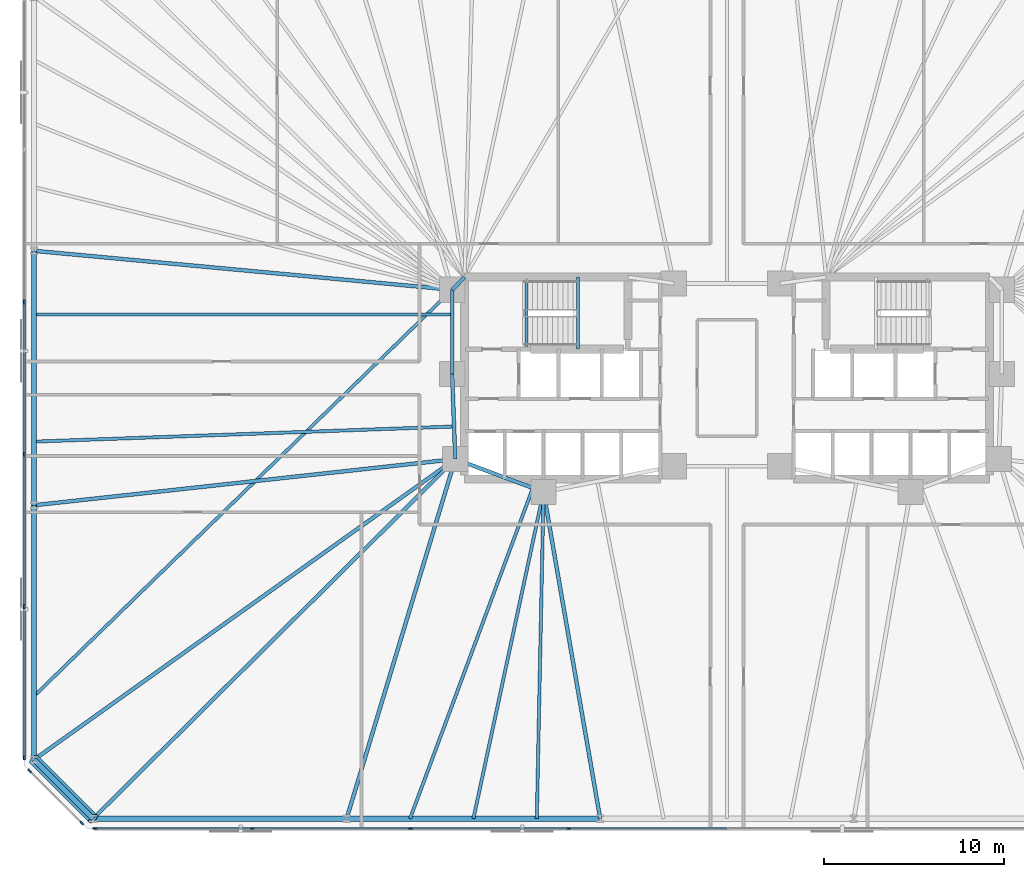
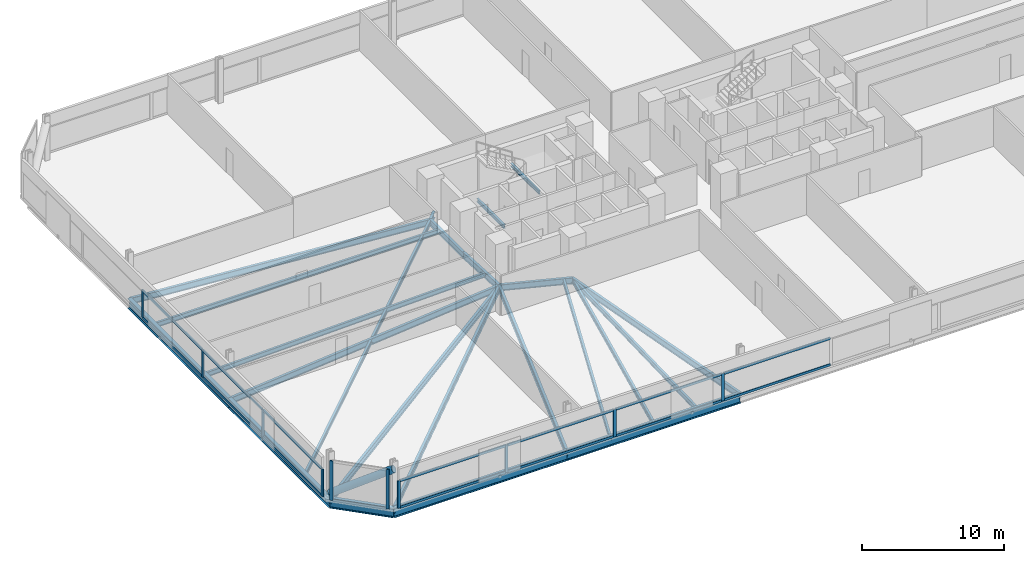
# One storey, part 6 of 17: 25 members, 23 beams, 3 elements without a shape of their own.
"""IFC4 building model written with IfcOpenShell, lengths in metres."""

from ifc_helpers import new_model, si_unit, direction, frame, origin, origin_2d, place, context, subcontext, project, spatial, rectangle, hollow_circle, i_section, extrude, material, material_profile, profile_set, type_object, element, aggregate, save


model = new_model("IFC4")

# Units and contexts
model_context = context("Model", 3, precision=1e-05, world=origin(), true_north=direction((0.0, 1.0)))
body_context = subcontext(model_context, "Body", "Model", "MODEL_VIEW")
ifc_project = project(units=[si_unit("LENGTHUNIT", "METRE"), si_unit("AREAUNIT", "SQUARE_METRE"), si_unit("VOLUMEUNIT", "CUBIC_METRE"), si_unit("PLANEANGLEUNIT", "RADIAN"), si_unit("MASSUNIT", "GRAM", prefix="KILO")], contexts=[model_context])

# Site, building, storey
site_placement = place(None, origin())
site = spatial("IfcSite", under=ifc_project, at=site_placement, CompositionType="ELEMENT")
building_placement = place(site_placement, origin())
building = spatial("IfcBuilding", under=site, at=building_placement, Name="Menara Jurai Vektor", CompositionType="ELEMENT")
storey_placement = place(building_placement, frame((0.0, 0.0, 75.0)))
storey = spatial("IfcBuildingStorey", under=building, at=storey_placement, Name="L18", CompositionType="ELEMENT", Elevation=75.0)

# Curtain wall, members
ifc_material_1 = material(Name="Anodised Pale Aluminium & Low-E Double Glazing", Category="aluminium")
curtain_wall_type = type_object("IfcCurtainWallType", Name="CW-BLK1", PredefinedType="NOTDEFINED", material=ifc_material_1)
curtain_wall_1_placement = place(storey_placement, origin())
curtain_wall_1 = element("IfcCurtainWall", 1, at=curtain_wall_1_placement, inside=storey, type_object=curtain_wall_type, Name="Unitised Curtain Wall L18 F01", PredefinedType="NOTDEFINED")
ifc_material_2 = material(Name="Anodised Pale Aluminium Mullion", Category="aluminium")
ifc_material_profile_1 = material_profile(ifc_material_2, rectangle(XDim=0.094970703125, YDim=0.239990234375, at=origin_2d()), Name="ALU MUL 95x240")
ifc_profile_set_1 = profile_set([ifc_material_profile_1], Name="Anodised Pale Aluminium Mullion")
member_type_1 = type_object("IfcMemberType", Name="CW-BLK1-MUL", PredefinedType="MULLION", material=ifc_profile_set_1)
member_1_placement = place(storey_placement, frame((-35.072509765625, -25.0, 0.0), z_axis=(0.0, 0.0, 1.0), x_axis=(0.0, 1.0, 0.0)))
member_1 = element("IfcMember", 2, at=member_1_placement, type_object=member_type_1, Name="CW-01 mullion 1", PredefinedType="MULLION", context=body_context, shape_type="SweptSolid", body=[
    extrude(rectangle(XDim=0.094970703125, YDim=0.239990234375, at=origin_2d()), origin(), (0.0, 0.0, 1.0), 2.35888671875),
])
member_2_placement = place(storey_placement, frame((-26.340087890625, -25.0, 0.0), z_axis=(0.0, 0.0, 1.0), x_axis=(0.0, 1.0, 0.0)))
member_2 = element("IfcMember", 3, at=member_2_placement, type_object=member_type_1, Name="CW-01 mullion 2", PredefinedType="MULLION", context=body_context, shape_type="SweptSolid", body=[
    extrude(rectangle(XDim=0.094970703125, YDim=0.239990234375, at=origin_2d()), origin(), (0.0, 0.0, 1.0), 2.35888671875),
])
member_3_placement = place(storey_placement, frame((-17.56005859375, -25.0, 0.0), z_axis=(0.0, 0.0, 1.0), x_axis=(0.0, 1.0, 0.0)))
member_3 = element("IfcMember", 4, at=member_3_placement, type_object=member_type_1, Name="CW-01 mullion 3", PredefinedType="MULLION", context=body_context, shape_type="SweptSolid", body=[
    extrude(rectangle(XDim=0.094970703125, YDim=0.239990234375, at=origin_2d()), origin(), (0.0, 0.0, 1.0), 2.35888671875),
])
member_4_placement = place(storey_placement, frame((-8.780029296875, -25.0, 0.0), z_axis=(0.0, 0.0, 1.0), x_axis=(0.0, 1.0, 0.0)))
member_4 = element("IfcMember", 5, at=member_4_placement, type_object=member_type_1, Name="CW-01 mullion 4", PredefinedType="MULLION", context=body_context, shape_type="SweptSolid", body=[
    extrude(rectangle(XDim=0.094970703125, YDim=0.239990234375, at=origin_2d()), origin(), (0.0, 0.0, 1.0), 2.35888671875),
])

curtain_wall_2_placement = place(storey_placement, origin())
curtain_wall_2 = element("IfcCurtainWall", 6, at=curtain_wall_2_placement, inside=storey, type_object=curtain_wall_type, Name="Unitised Curtain Wall L18 F07", PredefinedType="NOTDEFINED")
member_5_placement = place(storey_placement, frame((-39.0, 4.22412109375, 0.0), z_axis=(0.0, 0.0, 1.0), x_axis=(1.0, 0.0, 0.0)))
member_5 = element("IfcMember", 7, at=member_5_placement, type_object=member_type_1, Name="CW-01 mullion 3", PredefinedType="MULLION", context=body_context, shape_type="SweptSolid", body=[
    extrude(rectangle(XDim=0.094970703125, YDim=0.239990234375, at=origin_2d()), origin(), (0.0, 0.0, 1.0), 2.35888671875),
])
member_6_placement = place(storey_placement, frame((-39.0, -4.22412109375, 0.0), z_axis=(0.0, 0.0, 1.0), x_axis=(1.0, 0.0, 0.0)))
member_6 = element("IfcMember", 8, at=member_6_placement, type_object=member_type_1, Name="CW-01 mullion 4", PredefinedType="MULLION", context=body_context, shape_type="SweptSolid", body=[
    extrude(rectangle(XDim=0.094970703125, YDim=0.239990234375, at=origin_2d()), origin(), (0.0, 0.0, 1.0), 2.35888671875),
])
member_7_placement = place(storey_placement, frame((-39.0, -12.672119140625, 0.0), z_axis=(0.0, 0.0, 1.0), x_axis=(1.0, 0.0, 0.0)))
member_7 = element("IfcMember", 9, at=member_7_placement, type_object=member_type_1, Name="CW-01 mullion 5", PredefinedType="MULLION", context=body_context, shape_type="SweptSolid", body=[
    extrude(rectangle(XDim=0.094970703125, YDim=0.239990234375, at=origin_2d()), origin(), (0.0, 0.0, 1.0), 2.35888671875),
])
member_8_placement = place(storey_placement, frame((-39.0, -21.072509765625, 0.0), z_axis=(0.0, 0.0, 1.0), x_axis=(1.0, 0.0, 0.0)))
member_8 = element("IfcMember", 10, at=member_8_placement, type_object=member_type_1, Name="CW-01 mullion 6", PredefinedType="MULLION", context=body_context, shape_type="SweptSolid", body=[
    extrude(rectangle(XDim=0.094970703125, YDim=0.239990234375, at=origin_2d()), origin(), (0.0, 0.0, 1.0), 2.35888671875),
])

curtain_wall_3_placement = place(storey_placement, origin())
curtain_wall_3 = element("IfcCurtainWall", 11, at=curtain_wall_3_placement, inside=storey, type_object=curtain_wall_type, Name="Unitised Curtain Wall L18 F08", PredefinedType="NOTDEFINED")
member_9_placement = place(storey_placement, frame((-38.69775390625, -21.80224609375, 0.0), z_axis=(0.0, 0.0, 1.0), x_axis=(0.707106781187, 0.707106781187, 0.0)))
member_9 = element("IfcMember", 12, at=member_9_placement, type_object=member_type_1, Name="CW-01 mullion 1", PredefinedType="MULLION", context=body_context, shape_type="SweptSolid", body=[
    extrude(rectangle(XDim=0.094970703125, YDim=0.239990234375, at=origin_2d()), origin(), (0.0, 0.0, 1.0), 3.39501953125),
])
member_10_placement = place(storey_placement, frame((-35.80224609375, -24.69775390625, 0.0), z_axis=(0.0, 0.0, 1.0), x_axis=(0.707106781187, 0.707106781187, 0.0)))
member_10 = element("IfcMember", 13, at=member_10_placement, type_object=member_type_1, Name="CW-01 mullion 2", PredefinedType="MULLION", context=body_context, shape_type="SweptSolid", body=[
    extrude(rectangle(XDim=0.094970703125, YDim=0.239990234375, at=origin_2d()), origin(), (0.0, 0.0, 1.0), 3.39501953125),
])
aggregate(curtain_wall_3, [member_9, member_10])

# Member
ifc_material_3 = material(Name="Anodised Pale Aluminium Transom", Category="aluminium")
ifc_material_profile_2 = material_profile(ifc_material_3, rectangle(XDim=0.094970703125, YDim=0.199951171875, at=origin_2d()), Name="ALU TRN 95x200")
ifc_profile_set_2 = profile_set([ifc_material_profile_2], Name="Anodised Pale Aluminium Transom")
member_type_2 = type_object("IfcMemberType", Name="CW-BLK1-TRN", PredefinedType="USERDEFINED", material=ifc_profile_set_2)
member_11_placement = place(storey_placement, frame((-35.02490234375, -25.0, 0.047607421875), z_axis=(1.0, 0.0, 0.0), x_axis=(0.0, 1.0, 0.0)))
member_11 = element("IfcMember", 14, at=member_11_placement, type_object=member_type_2, Name="CW-01 transom 1.1", ObjectType="TRANSOM", PredefinedType="USERDEFINED", context=body_context, shape_type="SweptSolid", body=[
    extrude(rectangle(XDim=0.094970703125, YDim=0.199951171875, at=origin_2d()), origin(), (0.0, 0.0, 1.0), 8.637451171875),
])

member_12_placement = place(storey_placement, frame((-35.02490234375, -25.0, 2.3115234375), z_axis=(1.0, 0.0, 0.0), x_axis=(0.0, 1.0, 0.0)))
member_12 = element("IfcMember", 15, at=member_12_placement, type_object=member_type_2, Name="CW-01 transom 1.2", ObjectType="TRANSOM", PredefinedType="USERDEFINED", context=body_context, shape_type="SweptSolid", body=[
    extrude(rectangle(XDim=0.094970703125, YDim=0.199951171875, at=origin_2d()), origin(), (0.0, 0.0, 1.0), 8.637451171875),
])

member_13_placement = place(storey_placement, frame((-26.29248046875, -25.0, 0.047607421875), z_axis=(1.0, 0.0, 0.0), x_axis=(0.0, 1.0, 0.0)))
member_13 = element("IfcMember", 16, at=member_13_placement, type_object=member_type_2, Name="CW-01 transom 2.1", ObjectType="TRANSOM", PredefinedType="USERDEFINED", context=body_context, shape_type="SweptSolid", body=[
    extrude(rectangle(XDim=0.094970703125, YDim=0.199951171875, at=origin_2d()), origin(), (0.0, 0.0, 1.0), 8.68505859375),
])

member_14_placement = place(storey_placement, frame((-26.29248046875, -25.0, 2.3115234375), z_axis=(1.0, 0.0, 0.0), x_axis=(0.0, 1.0, 0.0)))
member_14 = element("IfcMember", 17, at=member_14_placement, type_object=member_type_2, Name="CW-01 transom 2.2", ObjectType="TRANSOM", PredefinedType="USERDEFINED", context=body_context, shape_type="SweptSolid", body=[
    extrude(rectangle(XDim=0.094970703125, YDim=0.199951171875, at=origin_2d()), origin(), (0.0, 0.0, 1.0), 8.68505859375),
])

member_15_placement = place(storey_placement, frame((-17.512451171875, -25.0, 0.047607421875), z_axis=(1.0, 0.0, 0.0), x_axis=(0.0, 1.0, 0.0)))
member_15 = element("IfcMember", 18, at=member_15_placement, type_object=member_type_2, Name="CW-01 transom 3.1", ObjectType="TRANSOM", PredefinedType="USERDEFINED", context=body_context, shape_type="SweptSolid", body=[
    extrude(rectangle(XDim=0.094970703125, YDim=0.199951171875, at=origin_2d()), origin(), (0.0, 0.0, 1.0), 8.68505859375),
])

member_16_placement = place(storey_placement, frame((-17.512451171875, -25.0, 2.3115234375), z_axis=(1.0, 0.0, 0.0), x_axis=(0.0, 1.0, 0.0)))
member_16 = element("IfcMember", 19, at=member_16_placement, type_object=member_type_2, Name="CW-01 transom 3.2", ObjectType="TRANSOM", PredefinedType="USERDEFINED", context=body_context, shape_type="SweptSolid", body=[
    extrude(rectangle(XDim=0.094970703125, YDim=0.199951171875, at=origin_2d()), origin(), (0.0, 0.0, 1.0), 8.68505859375),
])

member_17_placement = place(storey_placement, frame((-8.732421875, -25.0, 0.047607421875), z_axis=(1.0, 0.0, 0.0), x_axis=(0.0, 1.0, 0.0)))
member_17 = element("IfcMember", 20, at=member_17_placement, type_object=member_type_2, Name="CW-01 transom 4.1", ObjectType="TRANSOM", PredefinedType="USERDEFINED", context=body_context, shape_type="SweptSolid", body=[
    extrude(rectangle(XDim=0.094970703125, YDim=0.199951171875, at=origin_2d()), origin(), (0.0, 0.0, 1.0), 8.684814453125),
])

member_18_placement = place(storey_placement, frame((-8.732421875, -25.0, 2.3115234375), z_axis=(1.0, 0.0, 0.0), x_axis=(0.0, 1.0, 0.0)))
member_18 = element("IfcMember", 21, at=member_18_placement, type_object=member_type_2, Name="CW-01 transom 4.2", ObjectType="TRANSOM", PredefinedType="USERDEFINED", context=body_context, shape_type="SweptSolid", body=[
    extrude(rectangle(XDim=0.094970703125, YDim=0.199951171875, at=origin_2d()), origin(), (0.0, 0.0, 1.0), 8.684814453125),
])

aggregate(curtain_wall_1, [member_1, member_2, member_3, member_4, member_11, member_12, member_13, member_14, member_15, member_16, member_17, member_18])

member_19_placement = place(storey_placement, frame((-39.0, 4.176513671875, 0.047607421875), z_axis=(0.0, -1.0, 0.0), x_axis=(1.0, 0.0, 0.0)))
member_19 = element("IfcMember", 22, at=member_19_placement, type_object=member_type_2, Name="CW-01 transom 3.1", ObjectType="TRANSOM", PredefinedType="USERDEFINED", context=body_context, shape_type="SweptSolid", body=[
    extrude(rectangle(XDim=0.094970703125, YDim=0.199951171875, at=origin_2d()), origin(), (0.0, 0.0, 1.0), 8.35302734375),
])

member_20_placement = place(storey_placement, frame((-39.0, 4.176513671875, 2.3115234375), z_axis=(0.0, -1.0, 0.0), x_axis=(1.0, 0.0, 0.0)))
member_20 = element("IfcMember", 23, at=member_20_placement, type_object=member_type_2, Name="CW-01 transom 3.2", ObjectType="TRANSOM", PredefinedType="USERDEFINED", context=body_context, shape_type="SweptSolid", body=[
    extrude(rectangle(XDim=0.094970703125, YDim=0.199951171875, at=origin_2d()), origin(), (0.0, 0.0, 1.0), 8.35302734375),
])

member_21_placement = place(storey_placement, frame((-39.0, -4.271484375, 0.047607421875), z_axis=(0.0, -1.0, 0.0), x_axis=(1.0, 0.0, 0.0)))
member_21 = element("IfcMember", 24, at=member_21_placement, type_object=member_type_2, Name="CW-01 transom 4.1", ObjectType="TRANSOM", PredefinedType="USERDEFINED", context=body_context, shape_type="SweptSolid", body=[
    extrude(rectangle(XDim=0.094970703125, YDim=0.199951171875, at=origin_2d()), origin(), (0.0, 0.0, 1.0), 8.35302734375),
])

member_22_placement = place(storey_placement, frame((-39.0, -4.271484375, 2.3115234375), z_axis=(0.0, -1.0, 0.0), x_axis=(1.0, 0.0, 0.0)))
member_22 = element("IfcMember", 25, at=member_22_placement, type_object=member_type_2, Name="CW-01 transom 4.2", ObjectType="TRANSOM", PredefinedType="USERDEFINED", context=body_context, shape_type="SweptSolid", body=[
    extrude(rectangle(XDim=0.094970703125, YDim=0.199951171875, at=origin_2d()), origin(), (0.0, 0.0, 1.0), 8.35302734375),
])

member_23_placement = place(storey_placement, frame((-39.0, -12.719482421875, 0.047607421875), z_axis=(0.0, -1.0, 0.0), x_axis=(1.0, 0.0, 0.0)))
member_23 = element("IfcMember", 26, at=member_23_placement, type_object=member_type_2, Name="CW-01 transom 5.1", ObjectType="TRANSOM", PredefinedType="USERDEFINED", context=body_context, shape_type="SweptSolid", body=[
    extrude(rectangle(XDim=0.094970703125, YDim=0.199951171875, at=origin_2d()), origin(), (0.0, 0.0, 1.0), 8.305419921875),
])

member_24_placement = place(storey_placement, frame((-39.0, -12.719482421875, 2.3115234375), z_axis=(0.0, -1.0, 0.0), x_axis=(1.0, 0.0, 0.0)))
member_24 = element("IfcMember", 27, at=member_24_placement, type_object=member_type_2, Name="CW-01 transom 5.2", ObjectType="TRANSOM", PredefinedType="USERDEFINED", context=body_context, shape_type="SweptSolid", body=[
    extrude(rectangle(XDim=0.094970703125, YDim=0.199951171875, at=origin_2d()), origin(), (0.0, 0.0, 1.0), 8.305419921875),
])

aggregate(curtain_wall_2, [member_5, member_6, member_7, member_8, member_19, member_20, member_21, member_22, member_23, member_24])

# Beams
ifc_material_4 = material(Name="Steel S355", Category="steel")
ifc_material_profile_3 = material_profile(ifc_material_4, i_section(OverallWidth=0.2109375, OverallDepth=0.5390625, WebThickness=0.011962890625, FlangeThickness=0.01904296875, FilletRadius=0.012939453125, at=origin_2d()), Name="UKB 533x210x109")
ifc_profile_set_3 = profile_set([ifc_material_profile_3], Name="Steel S355")
beam_type_1 = type_object("IfcBeamType", Name="STR-BM-533", PredefinedType="BEAM", material=ifc_profile_set_3)
beam_1_placement = place(storey_placement, frame((-15.25, 4.89990234375, -0.494384765625), z_axis=(0.701871936926, 0.712303154672, 0.0), x_axis=(-0.712303154672, 0.701871936926, 0.0)))
element("IfcBeam", 28, at=beam_1_placement, inside=storey, type_object=beam_type_1, Name="Core Ring Header Girder L18-CHW-N1", PredefinedType="BEAM", context=body_context, shape_type="SweptSolid", body=[
    extrude(i_section(OverallWidth=0.2109375, OverallDepth=0.5390625, WebThickness=0.011962890625, FlangeThickness=0.01904296875, FilletRadius=0.012939453125, at=origin_2d()), origin(), (0.0, 0.0, 1.0), 0.98291015625),
])
beam_2_placement = place(storey_placement, frame((-15.25, 0.219970703125, -0.494384765625), z_axis=(0.0, 1.0, 0.0), x_axis=(-1.0, 0.0, 0.0)))
element("IfcBeam", 29, at=beam_2_placement, inside=storey, type_object=beam_type_1, Name="Core Ring Header Girder L18-CHW-W1", PredefinedType="BEAM", context=body_context, shape_type="SweptSolid", body=[
    extrude(i_section(OverallWidth=0.2109375, OverallDepth=0.5390625, WebThickness=0.011962890625, FlangeThickness=0.01904296875, FilletRadius=0.012939453125, at=origin_2d()), origin(), (0.0, 0.0, 1.0), 4.679931640625),
])
beam_3_placement = place(storey_placement, frame((-15.080078125, -4.5, -0.494384765625), z_axis=(-0.035977314146, 0.999352606874, 0.0), x_axis=(-0.999352606874, -0.035977314146, 0.0)))
element("IfcBeam", 30, at=beam_3_placement, inside=storey, type_object=beam_type_1, Name="Core Ring Header Girder L18-CHW-W2", PredefinedType="BEAM", context=body_context, shape_type="SweptSolid", body=[
    extrude(i_section(OverallWidth=0.2109375, OverallDepth=0.5390625, WebThickness=0.011962890625, FlangeThickness=0.01904296875, FilletRadius=0.012939453125, at=origin_2d()), origin(), (0.0, 0.0, 1.0), 4.72314453125),
])
beam_4_placement = place(storey_placement, frame((-15.080078125, -4.5, -0.494384765625), z_axis=(0.937424400887, -0.348188874925, 0.0), x_axis=(0.348188874925, 0.937424400887, 0.0)))
element("IfcBeam", 31, at=beam_4_placement, inside=storey, type_object=beam_type_1, Name="Core Ring Header Girder L18-CHW-S1", PredefinedType="BEAM", context=body_context, shape_type="SweptSolid", body=[
    extrude(i_section(OverallWidth=0.2109375, OverallDepth=0.5390625, WebThickness=0.011962890625, FlangeThickness=0.01904296875, FilletRadius=0.012939453125, at=origin_2d()), origin(), (0.0, 0.0, 1.0), 5.227294921875),
])
beam_5_placement = place(storey_placement, frame((-35.177734375, -24.449951171875, -0.494384765625), z_axis=(0.709709931659, 0.704494011972, 0.0), x_axis=(-0.704494011972, 0.709709931659, 0.0)))
element("IfcBeam", 32, at=beam_5_placement, inside=storey, type_object=beam_type_1, Name="Radial Floor Girder L18-S1", PredefinedType="BEAM", context=body_context, shape_type="SweptSolid", body=[
    extrude(i_section(OverallWidth=0.2109375, OverallDepth=0.5390625, WebThickness=0.011962890625, FlangeThickness=0.01904296875, FilletRadius=0.012939453125, at=origin_2d()), origin(), (0.0, 0.0, 1.0), 28.318115234375),
])
beam_6_placement = place(storey_placement, frame((-21.106689453125, -24.449951171875, -0.494384765625), z_axis=(0.289179812203, 0.957274796604, 0.0), x_axis=(-0.957274796604, 0.289179812203, 0.0)))
element("IfcBeam", 33, at=beam_6_placement, inside=storey, type_object=beam_type_1, Name="Radial Floor Girder L18-S2", PredefinedType="BEAM", context=body_context, shape_type="SweptSolid", body=[
    extrude(i_section(OverallWidth=0.2109375, OverallDepth=0.5390625, WebThickness=0.011962890625, FlangeThickness=0.01904296875, FilletRadius=0.012939453125, at=origin_2d()), origin(), (0.0, 0.0, 1.0), 20.84033203125),
])
beam_7_placement = place(storey_placement, frame((-7.03564453125, -24.449951171875, -0.494384765625), z_axis=(-0.170880325642, 0.985291791455, 0.0), x_axis=(-0.985291791455, -0.170880325642, 0.0)))
element("IfcBeam", 34, at=beam_7_placement, inside=storey, type_object=beam_type_1, Name="Radial Floor Girder L18-S3", PredefinedType="BEAM", context=body_context, shape_type="SweptSolid", body=[
    extrude(i_section(OverallWidth=0.2109375, OverallDepth=0.5390625, WebThickness=0.011962890625, FlangeThickness=0.01904296875, FilletRadius=0.012939453125, at=origin_2d()), origin(), (0.0, 0.0, 1.0), 18.400634765625),
])
beam_8_placement = place(storey_placement, frame((-38.449951171875, 7.059326171875, -0.494384765625), z_axis=(0.995696113112, -0.092678208514, 0.0), x_axis=(0.092678208514, 0.995696113112, 0.0)))
element("IfcBeam", 35, at=beam_8_placement, inside=storey, type_object=beam_type_1, Name="Radial Floor Girder L18-W2", PredefinedType="BEAM", context=body_context, shape_type="SweptSolid", body=[
    extrude(i_section(OverallWidth=0.2109375, OverallDepth=0.5390625, WebThickness=0.011962890625, FlangeThickness=0.01904296875, FilletRadius=0.012939453125, at=origin_2d()), origin(), (0.0, 0.0, 1.0), 23.30029296875),
])
beam_9_placement = place(storey_placement, frame((-38.449951171875, -7.059326171875, -0.494384765625), z_axis=(0.994056757953, 0.108863042253, 0.0), x_axis=(-0.108863042253, 0.994056757953, 0.0)))
element("IfcBeam", 36, at=beam_9_placement, inside=storey, type_object=beam_type_1, Name="Radial Floor Girder L18-W3", PredefinedType="BEAM", context=body_context, shape_type="SweptSolid", body=[
    extrude(i_section(OverallWidth=0.2109375, OverallDepth=0.5390625, WebThickness=0.011962890625, FlangeThickness=0.01904296875, FilletRadius=0.012939453125, at=origin_2d()), origin(), (0.0, 0.0, 1.0), 23.509521484375),
])
beam_10_placement = place(storey_placement, frame((-38.449951171875, -21.177734375, -0.494384765625), z_axis=(0.813981033216, 0.580891450759, 0.0), x_axis=(-0.580891450759, 0.813981033216, 0.0)))
element("IfcBeam", 37, at=beam_10_placement, inside=storey, type_object=beam_type_1, Name="Radial Floor Girder L18-W4", PredefinedType="BEAM", context=body_context, shape_type="SweptSolid", body=[
    extrude(i_section(OverallWidth=0.2109375, OverallDepth=0.5390625, WebThickness=0.011962890625, FlangeThickness=0.01904296875, FilletRadius=0.012939453125, at=origin_2d()), origin(), (0.0, 0.0, 1.0), 28.710693359375),
])

# Member
ifc_material_5 = material(Name="Steel S460", Category="steel")
ifc_material_profile_4 = material_profile(ifc_material_5, hollow_circle(Radius=0.304931640625, WallThickness=0.02490234375, at=origin_2d()), Name="CHS 610x25")
ifc_profile_set_4 = profile_set([ifc_material_profile_4], Name="Steel S460")
member_type_3 = type_object("IfcMemberType", Name="STR-BR-610", PredefinedType="BRACE", material=ifc_profile_set_4)
member_25_placement = place(storey_placement, frame((-38.449951171875, -21.177734375, 0.14990234375), z_axis=(0.599464538978, -0.599464538978, 0.530362642931), x_axis=(0.707106781187, 0.707106781187, 0.0)))
element("IfcMember", 38, at=member_25_placement, inside=storey, type_object=member_type_3, Name="Exoskeleton Corner Brace L18-4", PredefinedType="BRACE", context=body_context, shape_type="SweptSolid", body=[
    extrude(hollow_circle(Radius=0.304931640625, WallThickness=0.02490234375, at=origin_2d()), origin(), (0.0, 0.0, 1.0), 5.45849609375),
])

# Beams
ifc_material_profile_5 = material_profile(ifc_material_4, i_section(OverallWidth=0.178955078125, OverallDepth=0.408935546875, WebThickness=0.009033203125, FlangeThickness=0.013916015625, FilletRadius=0.010009765625, at=origin_2d()), Name="UKB 406x178x67")
ifc_profile_set_5 = profile_set([ifc_material_profile_5], Name="Steel S355")
beam_type_2 = type_object("IfcBeamType", Name="STR-JS-406", PredefinedType="JOIST", material=ifc_profile_set_5)
beam_11_placement = place(storey_placement, frame((-17.5888671875, -24.449951171875, -0.429443359375), z_axis=(0.348179014223, 0.937428063403, 0.0), x_axis=(-0.937428063403, 0.348179014223, 0.0)))
element("IfcBeam", 39, at=beam_11_placement, inside=storey, type_object=beam_type_2, Name="Radial Secondary Floor Joist L18-JS01", PredefinedType="JOIST", context=body_context, shape_type="SweptSolid", body=[
    extrude(i_section(OverallWidth=0.178955078125, OverallDepth=0.408935546875, WebThickness=0.009033203125, FlangeThickness=0.013916015625, FilletRadius=0.010009765625, at=origin_2d()), origin(), (0.0, 0.0, 1.0), 19.5751953125),
])
beam_12_placement = place(storey_placement, frame((-14.071044921875, -24.449951171875, -0.429443359375), z_axis=(0.209845584412, 0.977734539997, 0.0), x_axis=(-0.977734539997, 0.209845584412, 0.0)))
element("IfcBeam", 40, at=beam_12_placement, inside=storey, type_object=beam_type_2, Name="Radial Secondary Floor Joist L18-JS02", PredefinedType="JOIST", context=body_context, shape_type="SweptSolid", body=[
    extrude(i_section(OverallWidth=0.178955078125, OverallDepth=0.408935546875, WebThickness=0.009033203125, FlangeThickness=0.013916015625, FilletRadius=0.010009765625, at=origin_2d()), origin(), (0.0, 0.0, 1.0), 18.542724609375),
])
beam_13_placement = place(storey_placement, frame((-10.55322265625, -24.449951171875, -0.429443359375), z_axis=(0.020585456509, 0.999788097039, 0.0), x_axis=(-0.999788097039, 0.020585456509, 0.0)))
element("IfcBeam", 41, at=beam_13_placement, inside=storey, type_object=beam_type_2, Name="Radial Secondary Floor Joist L18-JS03", PredefinedType="JOIST", context=body_context, shape_type="SweptSolid", body=[
    extrude(i_section(OverallWidth=0.178955078125, OverallDepth=0.408935546875, WebThickness=0.009033203125, FlangeThickness=0.013916015625, FilletRadius=0.010009765625, at=origin_2d()), origin(), (0.0, 0.0, 1.0), 18.1337890625),
])
beam_14_placement = place(storey_placement, frame((-38.449951171875, 3.529541015625, -0.429443359375), z_axis=(1.0, 0.0, 0.0), x_axis=(0.0, 1.0, 0.0)))
element("IfcBeam", 42, at=beam_14_placement, inside=storey, type_object=beam_type_2, Name="Radial Secondary Floor Joist L18-JS35", PredefinedType="JOIST", context=body_context, shape_type="SweptSolid", body=[
    extrude(i_section(OverallWidth=0.178955078125, OverallDepth=0.408935546875, WebThickness=0.009033203125, FlangeThickness=0.013916015625, FilletRadius=0.010009765625, at=origin_2d()), origin(), (0.0, 0.0, 1.0), 23.199951171875),
])
beam_15_placement = place(storey_placement, frame((-38.449951171875, -3.529541015625, -0.429443359375), z_axis=(0.999352032814, 0.035993256462, 0.0), x_axis=(-0.035993256462, 0.999352032814, 0.0)))
element("IfcBeam", 43, at=beam_15_placement, inside=storey, type_object=beam_type_2, Name="Radial Secondary Floor Joist L18-JS36", PredefinedType="JOIST", context=body_context, shape_type="SweptSolid", body=[
    extrude(i_section(OverallWidth=0.178955078125, OverallDepth=0.408935546875, WebThickness=0.009033203125, FlangeThickness=0.013916015625, FilletRadius=0.010009765625, at=origin_2d()), origin(), (0.0, 0.0, 1.0), 23.31982421875),
])
beam_16_placement = place(storey_placement, frame((-38.449951171875, -17.648193359375, -0.429443359375), z_axis=(0.71710942187, 0.696960599363, 0.0), x_axis=(-0.696960599363, 0.71710942187, 0.0)))
element("IfcBeam", 44, at=beam_16_placement, inside=storey, type_object=beam_type_2, Name="Radial Secondary Floor Joist L18-JS37", PredefinedType="JOIST", context=body_context, shape_type="SweptSolid", body=[
    extrude(i_section(OverallWidth=0.178955078125, OverallDepth=0.408935546875, WebThickness=0.009033203125, FlangeThickness=0.013916015625, FilletRadius=0.010009765625, at=origin_2d()), origin(), (0.0, 0.0, 1.0), 32.35205078125),
])
ifc_material_profile_6 = material_profile(ifc_material_4, i_section(OverallWidth=0.1650390625, OverallDepth=0.302978515625, WebThickness=0.006103515625, FlangeThickness=0.010009765625, FilletRadius=0.009033203125, at=origin_2d()), Name="UKB 305x165x40")
ifc_profile_set_6 = profile_set([ifc_material_profile_6], Name="Steel S355")
beam_type_3 = type_object("IfcBeamType", Name="STR-LN-305", PredefinedType="LINTEL", material=ifc_profile_set_6)
beam_17_placement = place(storey_placement, frame((-11.1201171875, 1.60009765625, -0.37646484375), z_axis=(0.0, 1.0, 0.0), x_axis=(-1.0, 0.0, 0.0)))
element("IfcBeam", 45, at=beam_17_placement, inside=storey, type_object=beam_type_3, Name="Stair Well Floor Trimmer ST1 L18", PredefinedType="LINTEL", context=body_context, shape_type="SweptSolid", body=[
    extrude(i_section(OverallWidth=0.1650390625, OverallDepth=0.302978515625, WebThickness=0.006103515625, FlangeThickness=0.010009765625, FilletRadius=0.009033203125, at=origin_2d()), origin(), (0.0, 0.0, 1.0), 3.81982421875),
])
beam_18_placement = place(storey_placement, frame((-8.27001953125, 1.60009765625, 1.548583984375), z_axis=(0.0, 1.0, 0.0), x_axis=(-1.0, 0.0, 0.0)))
element("IfcBeam", 46, at=beam_18_placement, inside=storey, type_object=beam_type_3, Name="Stair Half-Landing Nosing Trimmer ST1-1 L18", PredefinedType="LINTEL", context=body_context, shape_type="SweptSolid", body=[
    extrude(i_section(OverallWidth=0.1650390625, OverallDepth=0.302978515625, WebThickness=0.006103515625, FlangeThickness=0.010009765625, FilletRadius=0.009033203125, at=origin_2d()), origin(), (0.0, 0.0, 1.0), 4.0),
])
ifc_material_profile_7 = material_profile(ifc_material_5, i_section(OverallWidth=0.2939453125, OverallDepth=0.85107421875, WebThickness=0.01611328125, FlangeThickness=0.027099609375, FilletRadius=0.01806640625, at=origin_2d()), Name="UKB 838x292x226")
ifc_profile_set_7 = profile_set([ifc_material_profile_7], Name="Steel S460")
beam_type_4 = type_object("IfcBeamType", Name="STR-SP-838", PredefinedType="SPANDREL", material=ifc_profile_set_7)
for number, where, z_axis, x_axis, name in (
    (47, (-35.177734375, -24.449951171875, -0.650390625), (1.0, 0.0, 0.0), (0.0, 1.0, 0.0), "Exoskeleton Spandrel Beam L18-01"),
    (48, (-21.106689453125, -24.449951171875, -0.650390625), (1.0, 0.0, 0.0), (0.0, 1.0, 0.0), "Exoskeleton Spandrel Beam L18-02"),
):
    element("IfcBeam", number, at=place(storey_placement, frame(where, z_axis=z_axis, x_axis=x_axis)), inside=storey, type_object=beam_type_4, Name=name, PredefinedType="SPANDREL", context=body_context, shape_type="SweptSolid", body=[
        extrude(i_section(OverallWidth=0.2939453125, OverallDepth=0.85107421875, WebThickness=0.01611328125, FlangeThickness=0.027099609375, FilletRadius=0.01806640625, at=origin_2d()), origin(), (0.0, 0.0, 1.0), 14.071044921875),
    ])
beam_19_placement = place(storey_placement, frame((-38.449951171875, 7.059326171875, -0.650390625), z_axis=(0.0, -1.0, 0.0), x_axis=(1.0, 0.0, 0.0)))
element("IfcBeam", 49, at=beam_19_placement, inside=storey, type_object=beam_type_4, Name="Exoskeleton Spandrel Beam L18-18", PredefinedType="SPANDREL", context=body_context, shape_type="SweptSolid", body=[
    extrude(i_section(OverallWidth=0.2939453125, OverallDepth=0.85107421875, WebThickness=0.01611328125, FlangeThickness=0.027099609375, FilletRadius=0.01806640625, at=origin_2d()), origin(), (0.0, 0.0, 1.0), 14.11865234375),
])
beam_20_placement = place(storey_placement, frame((-38.449951171875, -7.059326171875, -0.650390625), z_axis=(0.0, -1.0, 0.0), x_axis=(1.0, 0.0, 0.0)))
element("IfcBeam", 50, at=beam_20_placement, inside=storey, type_object=beam_type_4, Name="Exoskeleton Spandrel Beam L18-19", PredefinedType="SPANDREL", context=body_context, shape_type="SweptSolid", body=[
    extrude(i_section(OverallWidth=0.2939453125, OverallDepth=0.85107421875, WebThickness=0.01611328125, FlangeThickness=0.027099609375, FilletRadius=0.01806640625, at=origin_2d()), origin(), (0.0, 0.0, 1.0), 14.118408203125),
])
beam_21_placement = place(storey_placement, frame((-38.449951171875, -21.177734375, -0.650390625), z_axis=(0.707106781187, -0.707106781187, 0.0), x_axis=(0.707106781187, 0.707106781187, 0.0)))
element("IfcBeam", 51, at=beam_21_placement, inside=storey, type_object=beam_type_4, Name="Exoskeleton Spandrel Beam L18-20", PredefinedType="SPANDREL", context=body_context, shape_type="SweptSolid", body=[
    extrude(i_section(OverallWidth=0.2939453125, OverallDepth=0.85107421875, WebThickness=0.01611328125, FlangeThickness=0.027099609375, FilletRadius=0.01806640625, at=origin_2d()), origin(), (0.0, 0.0, 1.0), 4.627685546875),
])

save(model, "model.ifc")
